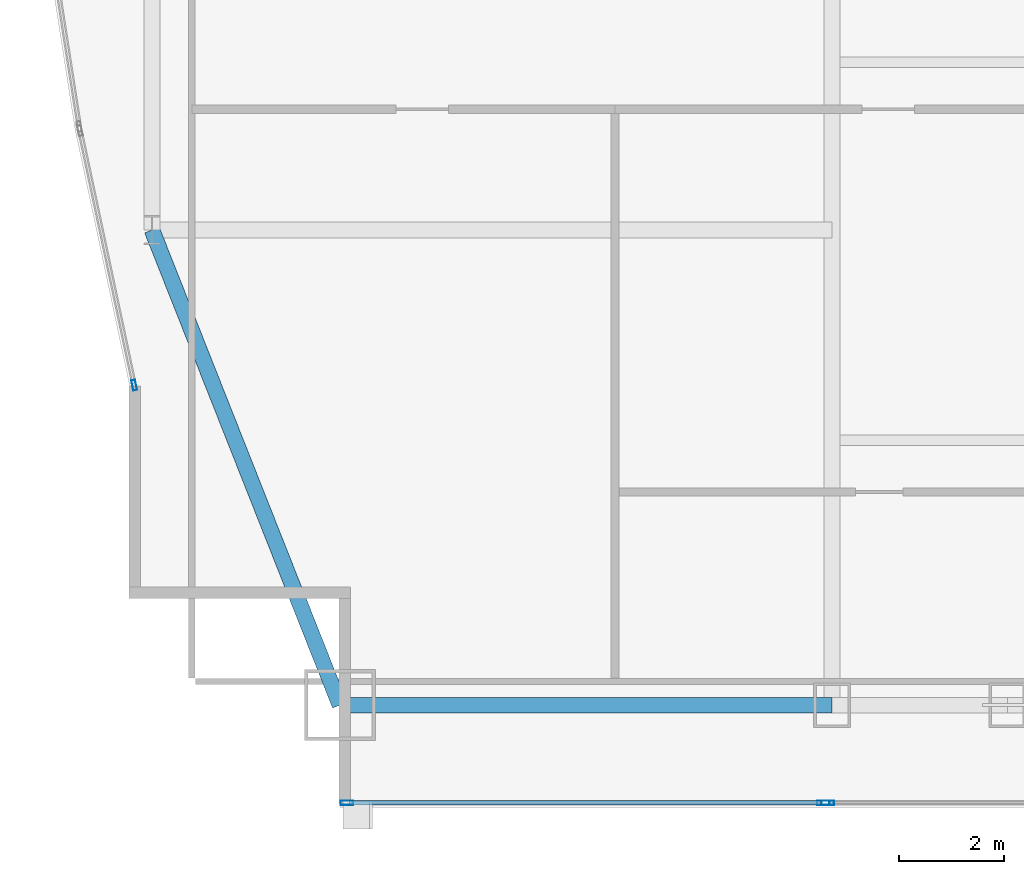
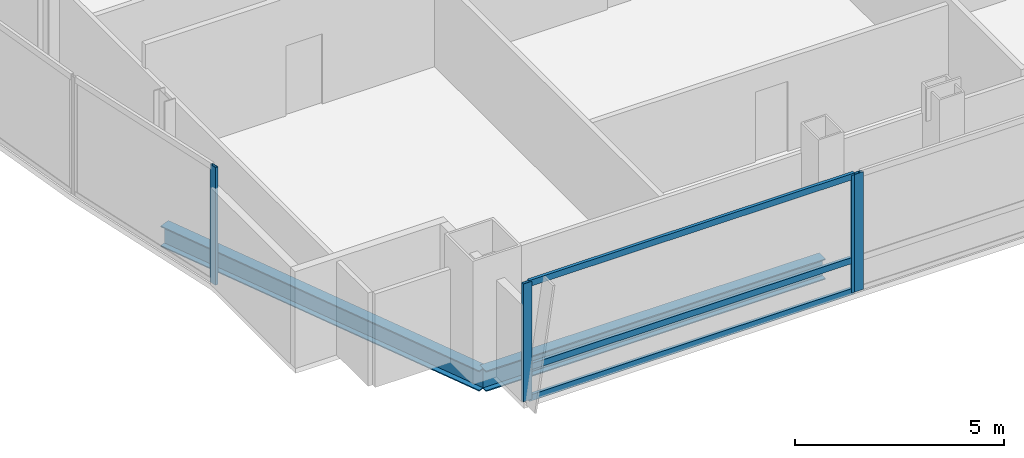
# One storey, part 5 of 29: 7 members, 2 beams, 3 elements without a shape of their own.
"""IFC4 building model written with IfcOpenShell, lengths in metres."""

from ifc_helpers import new_model, si_unit, direction, frame, origin, origin_2d, place, context, subcontext, project, spatial, hollow_rectangle, i_section, extrude, material, material_profile, profile_set, type_object, element, aggregate, save


model = new_model("IFC4")

# Units and contexts
model_context = context("Model", 3, precision=1e-05, world=origin(), true_north=direction((0.0, 1.0)))
body_context = subcontext(model_context, "Body", "Model", "MODEL_VIEW")
ifc_project = project(units=[si_unit("LENGTHUNIT", "METRE"), si_unit("AREAUNIT", "SQUARE_METRE"), si_unit("VOLUMEUNIT", "CUBIC_METRE"), si_unit("PLANEANGLEUNIT", "RADIAN"), si_unit("MASSUNIT", "GRAM", prefix="KILO")], contexts=[model_context])

# Site, building, storey
site_placement = place(None, origin())
site = spatial("IfcSite", under=ifc_project, at=site_placement, CompositionType="ELEMENT")
building_placement = place(site_placement, origin())
building = spatial("IfcBuilding", under=site, at=building_placement, Name="Khoronbel Lancet Exchange", CompositionType="ELEMENT")
storey_placement = place(building_placement, frame((0.0, 0.0, 165.0)))
storey = spatial("IfcBuildingStorey", under=building, at=storey_placement, Name="L41", CompositionType="ELEMENT", Elevation=165.0)

# Beams
ifc_material_1 = material(Name="Steel S355", Category="steel")
ifc_material_profile_1 = material_profile(ifc_material_1, i_section(OverallWidth=0.300048828125, OverallDepth=0.60009765625, WebThickness=0.015380859375, FlangeThickness=0.030029296875, at=origin_2d()), Name="HEB 600")
ifc_profile_set_1 = profile_set([ifc_material_profile_1], Name="Steel S355")
beam_type = type_object("IfcBeamType", Name="BM-BSP2", PredefinedType="SPANDREL", material=ifc_profile_set_1)
beam_1_placement = place(storey_placement, frame((8.85009765625, 10.14990234375, -0.4599609375), z_axis=(1.0, 0.0, 0.0), x_axis=(0.0, 1.0, 0.0)))
element("IfcBeam", 1, at=beam_1_placement, inside=storey, type_object=beam_type, Name="Level L41 perimeter spandrel beam SP01", PredefinedType="SPANDREL", context=body_context, shape_type="SweptSolid", body=[
    extrude(i_section(OverallWidth=0.300048828125, OverallDepth=0.60009765625, WebThickness=0.015380859375, FlangeThickness=0.030029296875, at=origin_2d()), origin(), (0.0, 0.0, 1.0), 9.375),
])
beam_2_placement = place(storey_placement, frame((5.27001953125, 19.199951171875, -0.4599609375), z_axis=(0.367850095026, -0.92988510451, 0.0), x_axis=(0.92988510451, 0.367850095026, 0.0)))
element("IfcBeam", 2, at=beam_2_placement, inside=storey, type_object=beam_type, Name="Level L41 perimeter spandrel beam SP21", PredefinedType="SPANDREL", context=body_context, shape_type="SweptSolid", body=[
    extrude(i_section(OverallWidth=0.300048828125, OverallDepth=0.60009765625, WebThickness=0.015380859375, FlangeThickness=0.030029296875, at=origin_2d()), origin(), (0.0, 0.0, 1.0), 9.732421875),
])

# Curtain wall, members
ifc_material_2 = material(Name="Low-E Solar Control Insulating Glass", Category="glass")
curtain_wall_type_1 = type_object("IfcCurtainWallType", Name="CW-3", PredefinedType="NOTDEFINED", material=ifc_material_2)
curtain_wall_1_placement = place(storey_placement, origin())
curtain_wall_1 = element("IfcCurtainWall", 3, at=curtain_wall_1_placement, inside=storey, type_object=curtain_wall_type_1, Name="Unitised curtain wall CW-L41-SWV", PredefinedType="NOTDEFINED")
ifc_material_3 = material(Name="Bronze-Anodised Aluminium 6063-T6", Category="aluminium")
ifc_material_profile_2 = material_profile(ifc_material_3, hollow_rectangle(XDim=0.0849609375, YDim=0.239990234375, WallThickness=0.006103515625, at=origin_2d()), Name="ALU MULLION 85x240")
ifc_profile_set_2 = profile_set([ifc_material_profile_2], Name="Bronze-Anodised Aluminium 6063-T6")
member_type_1 = type_object("IfcMemberType", Name="MEM-CWM1", PredefinedType="MULLION", material=ifc_profile_set_2)
member_1_placement = place(storey_placement, frame((8.982421875, 8.2900390625, 0.0), z_axis=(0.0, 0.0, 1.0), x_axis=(0.0, 1.0, 0.0)))
member_1 = element("IfcMember", 4, at=member_1_placement, type_object=member_type_1, Name="CW3 mullion 1", PredefinedType="MULLION", context=body_context, shape_type="SweptSolid", body=[
    extrude(hollow_rectangle(XDim=0.0849609375, YDim=0.239990234375, WallThickness=0.006103515625, at=origin_2d()), origin(), (0.0, 0.0, 1.0), 3.43994140625),
])
member_2_placement = place(storey_placement, frame((18.0576171875, 8.2900390625, 0.0), z_axis=(0.0, 0.0, 1.0), x_axis=(0.0, 1.0, 0.0)))
member_2 = element("IfcMember", 5, at=member_2_placement, type_object=member_type_1, Name="CW3 mullion 2", PredefinedType="MULLION", context=body_context, shape_type="SweptSolid", body=[
    extrude(hollow_rectangle(XDim=0.0849609375, YDim=0.239990234375, WallThickness=0.006103515625, at=origin_2d()), origin(), (0.0, 0.0, 1.0), 3.43994140625),
])

# Curtain wall, member
curtain_wall_2_placement = place(storey_placement, origin())
curtain_wall_2 = element("IfcCurtainWall", 6, at=curtain_wall_2_placement, inside=storey, type_object=curtain_wall_type_1, Name="Unitised curtain wall CW-L41-SWB", PredefinedType="NOTDEFINED")
member_3_placement = place(storey_placement, frame((18.142578125, 8.2900390625, 0.0), z_axis=(0.0, 0.0, 1.0), x_axis=(0.0, 1.0, 0.0)))
member_3 = element("IfcMember", 7, at=member_3_placement, type_object=member_type_1, Name="CW3 mullion 1", PredefinedType="MULLION", context=body_context, shape_type="SweptSolid", body=[
    extrude(hollow_rectangle(XDim=0.0849609375, YDim=0.239990234375, WallThickness=0.006103515625, at=origin_2d()), origin(), (0.0, 0.0, 1.0), 3.43994140625),
])
aggregate(curtain_wall_2, [member_3])

curtain_wall_type_2 = type_object("IfcCurtainWallType", Name="CW-4", PredefinedType="NOTDEFINED", material=ifc_material_2)
curtain_wall_3_placement = place(storey_placement, origin())
curtain_wall_3 = element("IfcCurtainWall", 8, at=curtain_wall_3_placement, inside=storey, type_object=curtain_wall_type_2, Name="Unitised curtain wall CW-L41-E04", PredefinedType="NOTDEFINED")
ifc_material_profile_3 = material_profile(ifc_material_3, hollow_rectangle(XDim=0.074951171875, YDim=0.199951171875, WallThickness=0.0048828125, at=origin_2d()), Name="ALU MULLION 75x200")
ifc_profile_set_3 = profile_set([ifc_material_profile_3], Name="Bronze-Anodised Aluminium 6063-T6")
member_type_2 = type_object("IfcMemberType", Name="MEM-CWM2", PredefinedType="MULLION", material=ifc_profile_set_3)
member_4_placement = place(storey_placement, frame((4.93212890625, 16.24609375, 0.0), z_axis=(0.0, 0.0, 1.0), x_axis=(-0.978075720441, -0.208249574031, 0.0)))
member_4 = element("IfcMember", 9, at=member_4_placement, type_object=member_type_2, Name="CW4 mullion 1", PredefinedType="MULLION", context=body_context, shape_type="SweptSolid", body=[
    extrude(hollow_rectangle(XDim=0.074951171875, YDim=0.199951171875, WallThickness=0.0048828125, at=origin_2d()), origin(), (0.0, 0.0, 1.0), 3.43994140625),
])
aggregate(curtain_wall_3, [member_4])

# Member
ifc_material_profile_4 = material_profile(ifc_material_3, hollow_rectangle(XDim=0.0849609375, YDim=0.179931640625, WallThickness=0.0048828125, at=origin_2d()), Name="ALU TRANSOM 85x180")
ifc_profile_set_4 = profile_set([ifc_material_profile_4], Name="Bronze-Anodised Aluminium 6063-T6")
member_type_3 = type_object("IfcMemberType", Name="MEM-CWT1", PredefinedType="USERDEFINED", material=ifc_profile_set_4)
member_5_placement = place(storey_placement, frame((9.02490234375, 8.2900390625, 0.04248046875), z_axis=(1.0, 0.0, 0.0), x_axis=(0.0, 1.0, 0.0)))
member_5 = element("IfcMember", 10, at=member_5_placement, type_object=member_type_3, Name="CW3 transom 1.1", ObjectType="TRANSOM", PredefinedType="USERDEFINED", context=body_context, shape_type="SweptSolid", body=[
    extrude(hollow_rectangle(XDim=0.0849609375, YDim=0.179931640625, WallThickness=0.0048828125, at=origin_2d()), origin(), (0.0, 0.0, 1.0), 8.989990234375),
])

member_6_placement = place(storey_placement, frame((9.02490234375, 8.2900390625, 0.949951171875), z_axis=(1.0, 0.0, 0.0), x_axis=(0.0, 1.0, 0.0)))
member_6 = element("IfcMember", 11, at=member_6_placement, type_object=member_type_3, Name="CW3 transom 1.2", ObjectType="TRANSOM", PredefinedType="USERDEFINED", context=body_context, shape_type="SweptSolid", body=[
    extrude(hollow_rectangle(XDim=0.0849609375, YDim=0.179931640625, WallThickness=0.0048828125, at=origin_2d()), origin(), (0.0, 0.0, 1.0), 8.989990234375),
])

member_7_placement = place(storey_placement, frame((9.02490234375, 8.2900390625, 3.3974609375), z_axis=(1.0, 0.0, 0.0), x_axis=(0.0, 1.0, 0.0)))
member_7 = element("IfcMember", 12, at=member_7_placement, type_object=member_type_3, Name="CW3 transom 1.3", ObjectType="TRANSOM", PredefinedType="USERDEFINED", context=body_context, shape_type="SweptSolid", body=[
    extrude(hollow_rectangle(XDim=0.0849609375, YDim=0.179931640625, WallThickness=0.0048828125, at=origin_2d()), origin(), (0.0, 0.0, 1.0), 8.989990234375),
])

aggregate(curtain_wall_1, [member_1, member_2, member_5, member_6, member_7])

save(model, "model.ifc")
